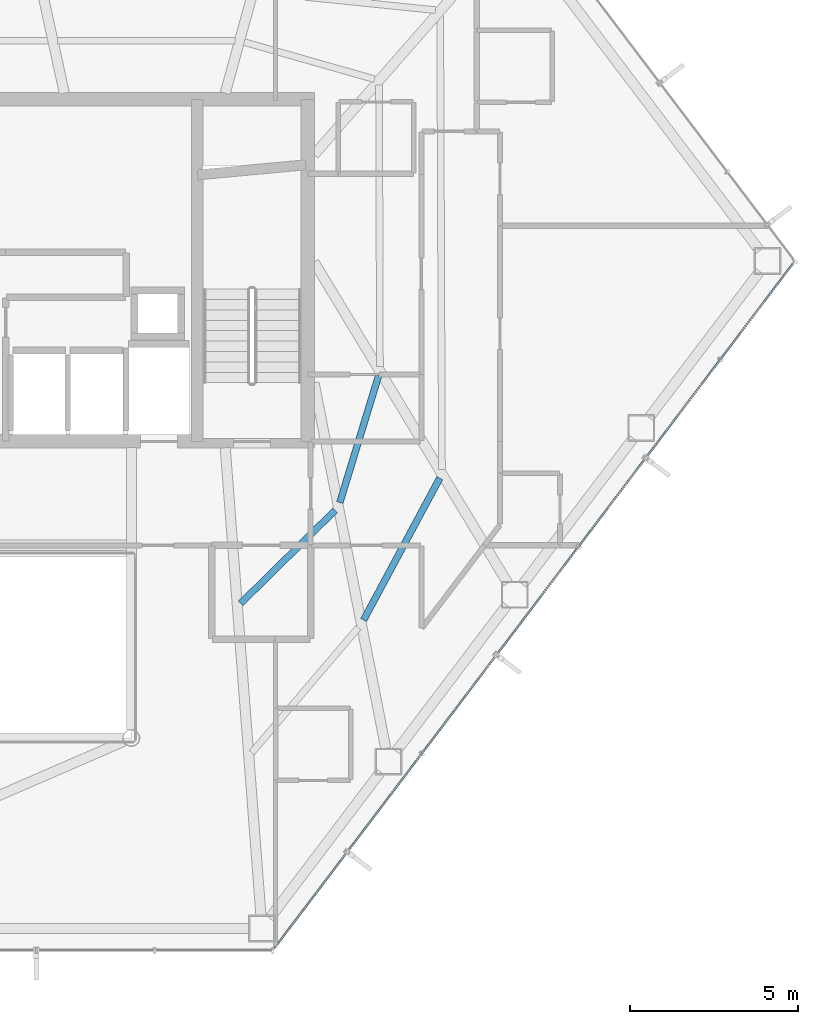
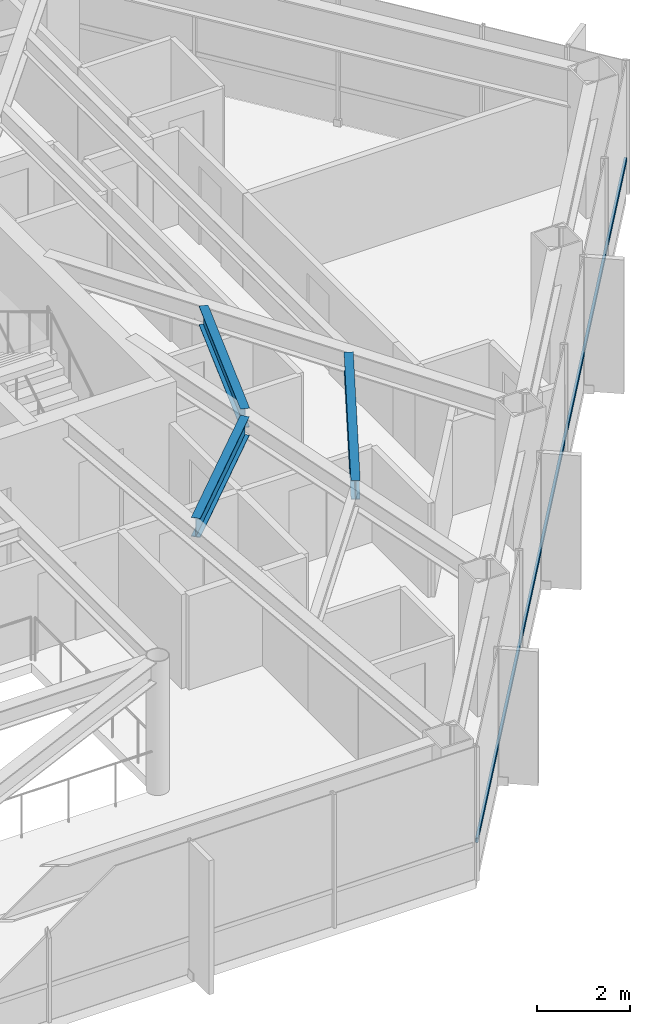
# One storey, part 18 of 28: 3 beams, 1 member, 1 element without a shape of its own.
"""IFC4 building model written with IfcOpenShell, lengths in metres."""

from ifc_helpers import new_model, si_unit, direction, frame, origin, origin_2d, place, context, subcontext, project, spatial, hollow_rectangle, i_section, extrude, material, layer, layer_set, material_profile, profile_set, type_object, element, aggregate, save


model = new_model("IFC4")

# Units and contexts
model_context = context("Model", 3, precision=1e-05, world=origin(), true_north=direction((0.0, 1.0)))
body_context = subcontext(model_context, "Body", "Model", "MODEL_VIEW")
ifc_project = project(units=[si_unit("LENGTHUNIT", "METRE"), si_unit("AREAUNIT", "SQUARE_METRE"), si_unit("VOLUMEUNIT", "CUBIC_METRE"), si_unit("PLANEANGLEUNIT", "RADIAN"), si_unit("MASSUNIT", "GRAM", prefix="KILO")], contexts=[model_context])

# Site, building, storey
site_placement = place(None, origin())
site = spatial("IfcSite", under=ifc_project, at=site_placement, CompositionType="ELEMENT")
building_placement = place(site_placement, origin())
building = spatial("IfcBuilding", under=site, at=building_placement, Name="Zarrinselat Tower", CompositionType="ELEMENT")
storey_placement = place(building_placement, frame((0.0, 0.0, 123.419921875)))
storey = spatial("IfcBuildingStorey", under=building, at=storey_placement, Name="L29", CompositionType="ELEMENT", Elevation=123.419921875)

# Beams
ifc_material_1 = material(Name="Steel S355J2", Category="steel")
ifc_material_profile_1 = material_profile(ifc_material_1, i_section(OverallWidth=0.199951171875, OverallDepth=0.5, WebThickness=0.01025390625, FlangeThickness=0.01611328125, at=origin_2d()), Name="IPE 500")
ifc_profile_set_1 = profile_set([ifc_material_profile_1], Name="Steel S355J2")
beam_type = type_object("IfcBeamType", Name="BM-IPE500", PredefinedType="JOIST", material=ifc_profile_set_1)
beam_1_placement = place(storey_placement, frame((46.26171875, 28.417724609375, 3.25), z_axis=(0.71233732768, 0.70183725435, 0.0), x_axis=(-0.70183725435, 0.71233732768, 0.0)))
element("IfcBeam", 1, at=beam_1_placement, inside=storey, type_object=beam_type, Name="L29 Composite Floor Joist 3-2", PredefinedType="JOIST", context=body_context, shape_type="SweptSolid", body=[
    extrude(i_section(OverallWidth=0.199951171875, OverallDepth=0.5, WebThickness=0.01025390625, FlangeThickness=0.01611328125, at=origin_2d()), origin(), (0.0, 0.0, 1.0), 3.95263671875),
])
beam_2_placement = place(storey_placement, frame((49.927978515625, 27.922119140625, 3.25), z_axis=(0.47300164135, 0.881061545682, 0.0), x_axis=(-0.881061545682, 0.47300164135, 0.0)))
element("IfcBeam", 2, at=beam_2_placement, inside=storey, type_object=beam_type, Name="L29 Composite Floor Joist 4-1", PredefinedType="JOIST", context=body_context, shape_type="SweptSolid", body=[
    extrude(i_section(OverallWidth=0.199951171875, OverallDepth=0.5, WebThickness=0.01025390625, FlangeThickness=0.01611328125, at=origin_2d()), origin(), (0.0, 0.0, 1.0), 4.80078125),
])
beam_3_placement = place(storey_placement, frame((49.21826171875, 31.42431640625, 3.25), z_axis=(0.292246754572, 0.956342948132, 0.0), x_axis=(-0.956342948132, 0.292246754572, 0.0)))
element("IfcBeam", 3, at=beam_3_placement, inside=storey, type_object=beam_type, Name="L29 Composite Floor Joist 4-2", PredefinedType="JOIST", context=body_context, shape_type="SweptSolid", body=[
    extrude(i_section(OverallWidth=0.199951171875, OverallDepth=0.5, WebThickness=0.01025390625, FlangeThickness=0.01611328125, at=origin_2d()), origin(), (0.0, 0.0, 1.0), 3.956298828125),
])

# Curtain wall, member
ifc_material_2 = material(Name="Extruded Aluminium Alloy EN AW-6063 T6", Category="aluminium")
ifc_layer = layer(ifc_material_2, 0.175048828125)
ifc_layer_set = layer_set([ifc_layer], Name="Extruded Aluminium Alloy EN AW-6063 T6")
curtain_wall_type = type_object("IfcCurtainWallType", Name="CWS-HTL", PredefinedType="NOTDEFINED", material=ifc_layer_set)
curtain_wall_placement = place(storey_placement, origin())
curtain_wall = element("IfcCurtainWall", 4, at=curtain_wall_placement, inside=storey, type_object=curtain_wall_type, Name="L29 Unitised Curtain Wall CW-L29-E05", PredefinedType="NOTDEFINED")
ifc_material_3 = material(Name="Extruded Aluminium Alloy EN AW-6063 T6", Category="aluminium")
ifc_material_profile_2 = material_profile(ifc_material_3, hollow_rectangle(XDim=0.06005859375, YDim=0.1201171875, WallThickness=0.00390625, at=origin_2d()), Name="RHS 120x60x4")
ifc_profile_set_2 = profile_set([ifc_material_profile_2], Name="Extruded Aluminium Alloy EN AW-6063 T6")
member_type = type_object("IfcMemberType", Name="MEM-CW-TRN2", PredefinedType="USERDEFINED", material=ifc_profile_set_2)
member_placement = place(storey_placement, frame((47.272216796875, 18.137939453125, 0.9501953125), z_axis=(0.603853834815, 0.797095067215, 0.0), x_axis=(-0.797095067215, 0.603853834815, 0.0)))
member = element("IfcMember", 5, at=member_placement, type_object=member_type, Name="CW-L29-E05 Transom 1", ObjectType="TRANSOM", PredefinedType="USERDEFINED", context=body_context, shape_type="SweptSolid", body=[
    extrude(hollow_rectangle(XDim=0.06005859375, YDim=0.1201171875, WallThickness=0.00390625, at=origin_2d()), origin(), (0.0, 0.0, 1.0), 25.617919921875),
])
aggregate(curtain_wall, [member])

save(model, "model.ifc")
